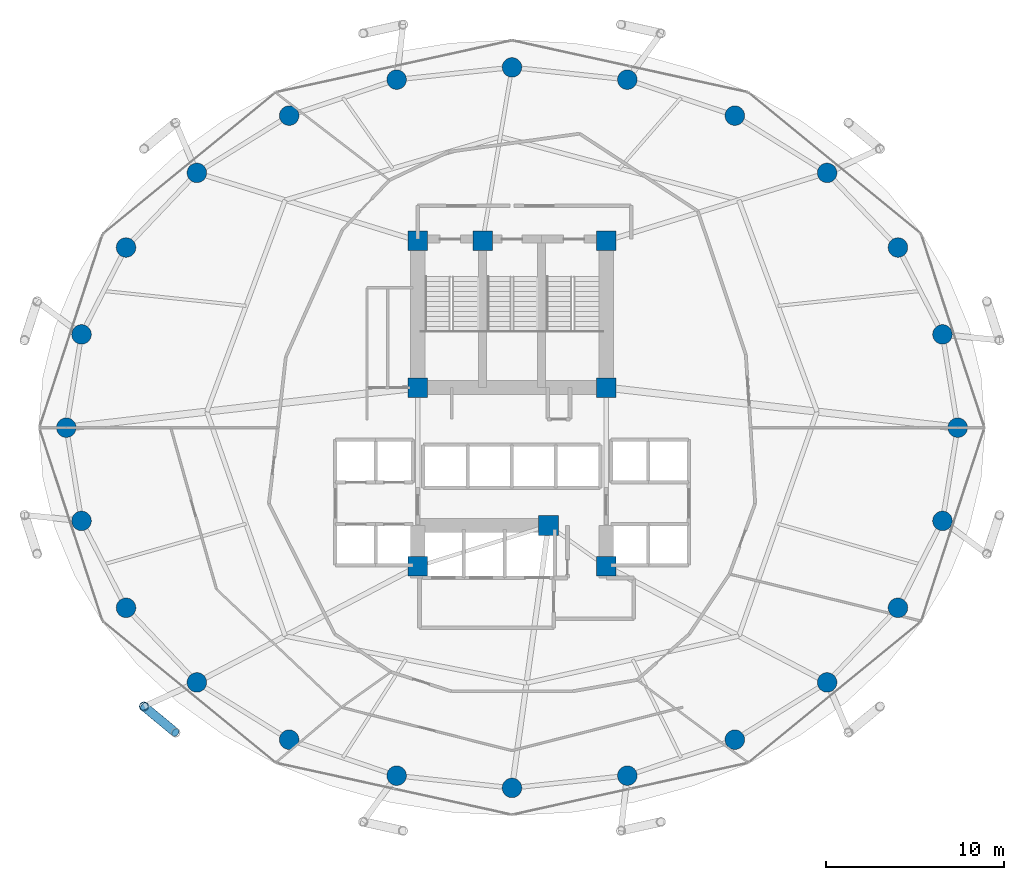
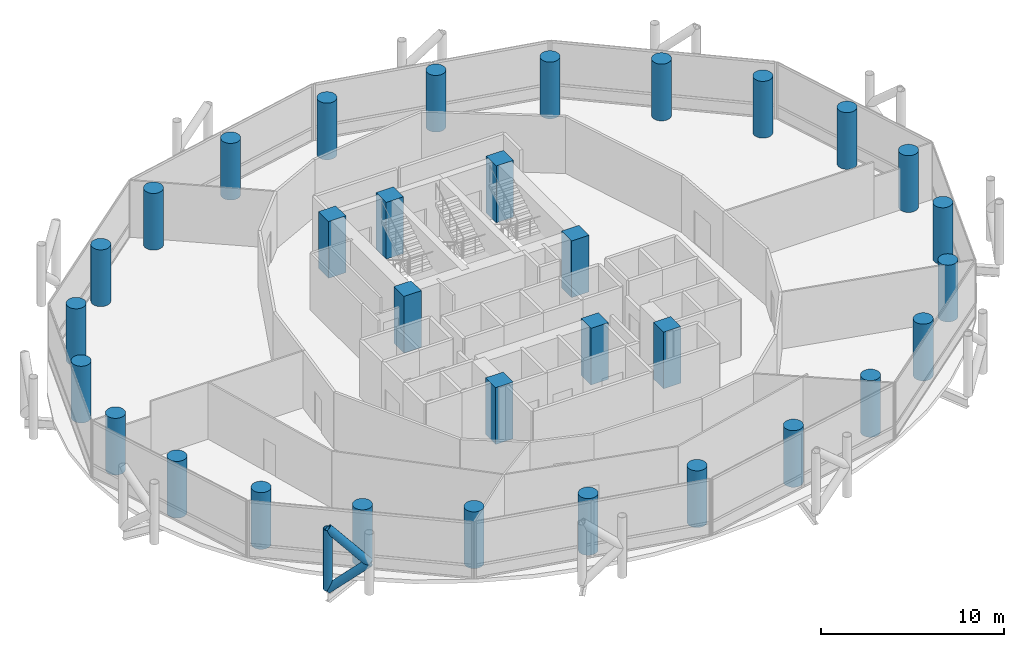
# One storey, part 1 of 24: 32 columns, 3 members.
"""IFC4 building model written with IfcOpenShell, lengths in metres."""

from ifc_helpers import new_model, si_unit, direction, frame, origin, origin_2d, place, context, subcontext, project, spatial, rectangle, circle, hollow_circle, extrude, material, material_profile, profile_set, type_object, element, save


model = new_model("IFC4")

# Units and contexts
model_context = context("Model", 3, precision=1e-05, world=origin(), true_north=direction((0.0, 1.0)))
body_context = subcontext(model_context, "Body", "Model", "MODEL_VIEW")
ifc_project = project(units=[si_unit("LENGTHUNIT", "METRE"), si_unit("AREAUNIT", "SQUARE_METRE"), si_unit("VOLUMEUNIT", "CUBIC_METRE"), si_unit("PLANEANGLEUNIT", "RADIAN"), si_unit("MASSUNIT", "GRAM", prefix="KILO")], contexts=[model_context])

# Site, building, storey
site_placement = place(None, origin())
site = spatial("IfcSite", under=ifc_project, at=site_placement, CompositionType="ELEMENT")
building_placement = place(site_placement, origin())
building = spatial("IfcBuilding", under=site, at=building_placement, Name="Nuhasar Tower", CompositionType="ELEMENT")
storey_placement = place(building_placement, frame((0.0, 0.0, 41.25)))
storey = spatial("IfcBuildingStorey", under=building, at=storey_placement, Name="L09", CompositionType="ELEMENT", Elevation=41.25)

# Columns
ifc_material_1 = material(Name="Concrete C80/95", Category="concrete")
ifc_material_profile_1 = material_profile(ifc_material_1, circle(Radius=0.550048828125, at=origin_2d()), Name="CFT1100")
ifc_profile_set_1 = profile_set([ifc_material_profile_1], Name="Concrete C80/95")
column_type_1 = type_object("IfcColumnType", Name="COL-CFT-1100", PredefinedType="COLUMN", material=ifc_profile_set_1)
for number, where, z_axis, x_axis, name in (
    (1, (64.050048828125, 26.800048828125, 0.0), (0.0, 0.0, 1.0), (1.0, 0.0, 0.0), "L09 Perimeter Composite Column TC-01"),
    (2, (63.196044921875, 32.041015625, 0.0), (0.0, 0.0, 1.0), (1.0, 0.0, 0.0), "L09 Perimeter Composite Column TC-02"),
    (3, (60.694091796875, 36.925048828125, 0.0), (0.0, 0.0, 1.0), (1.0, 0.0, 0.0), "L09 Perimeter Composite Column TC-03"),
    (4, (56.712890625, 41.118896484375, 0.0), (0.0, 0.0, 1.0), (1.0, 0.0, 0.0), "L09 Perimeter Composite Column TC-04"),
    (5, (51.52490234375, 44.3369140625, 0.0), (0.0, 0.0, 1.0), (1.0, 0.0, 0.0), "L09 Perimeter Composite Column TC-05"),
    (6, (45.48291015625, 46.360107421875, 0.0), (0.0, 0.0, 1.0), (1.0, 0.0, 0.0), "L09 Perimeter Composite Column TC-06"),
    (7, (39.0, 47.050048828125, 0.0), (0.0, 0.0, 1.0), (1.0, 0.0, 0.0), "L09 Perimeter Composite Column TC-07"),
    (8, (32.51708984375, 46.360107421875, 0.0), (0.0, 0.0, 1.0), (1.0, 0.0, 0.0), "L09 Perimeter Composite Column TC-08"),
    (9, (26.47509765625, 44.3369140625, 0.0), (0.0, 0.0, 1.0), (1.0, 0.0, 0.0), "L09 Perimeter Composite Column TC-09"),
    (10, (21.287109375, 41.118896484375, 0.0), (0.0, 0.0, 1.0), (1.0, 0.0, 0.0), "L09 Perimeter Composite Column TC-10"),
    (11, (17.305908203125, 36.925048828125, 0.0), (0.0, 0.0, 1.0), (1.0, 0.0, 0.0), "L09 Perimeter Composite Column TC-11"),
    (12, (14.803955078125, 32.041015625, 0.0), (0.0, 0.0, 1.0), (1.0, 0.0, 0.0), "L09 Perimeter Composite Column TC-12"),
    (13, (13.949951171875, 26.800048828125, 0.0), (0.0, 0.0, 1.0), (1.0, 0.0, 0.0), "L09 Perimeter Composite Column TC-13"),
    (14, (14.803955078125, 21.55908203125, 0.0), (0.0, 0.0, 1.0), (1.0, 0.0, 0.0), "L09 Perimeter Composite Column TC-14"),
    (15, (17.305908203125, 16.675048828125, 0.0), (0.0, 0.0, 1.0), (1.0, 0.0, 0.0), "L09 Perimeter Composite Column TC-15"),
    (16, (21.287109375, 12.48095703125, 0.0), (0.0, 0.0, 1.0), (1.0, 0.0, 0.0), "L09 Perimeter Composite Column TC-16"),
    (17, (26.47509765625, 9.262939453125, 0.0), (0.0, 0.0, 1.0), (1.0, 0.0, 0.0), "L09 Perimeter Composite Column TC-17"),
    (18, (32.51708984375, 7.239990234375, 0.0), (0.0, 0.0, 1.0), (1.0, 0.0, 0.0), "L09 Perimeter Composite Column TC-18"),
    (19, (39.0, 6.550048828125, 0.0), (0.0, 0.0, 1.0), (1.0, 0.0, 0.0), "L09 Perimeter Composite Column TC-19"),
    (20, (45.48291015625, 7.239990234375, 0.0), (0.0, 0.0, 1.0), (1.0, 0.0, 0.0), "L09 Perimeter Composite Column TC-20"),
    (21, (51.52490234375, 9.262939453125, 0.0), (0.0, 0.0, 1.0), (1.0, 0.0, 0.0), "L09 Perimeter Composite Column TC-21"),
    (22, (56.712890625, 12.48095703125, 0.0), (0.0, 0.0, 1.0), (1.0, 0.0, 0.0), "L09 Perimeter Composite Column TC-22"),
    (23, (60.694091796875, 16.675048828125, 0.0), (0.0, 0.0, 1.0), (1.0, 0.0, 0.0), "L09 Perimeter Composite Column TC-23"),
    (24, (63.196044921875, 21.55908203125, 0.0), (0.0, 0.0, 1.0), (1.0, 0.0, 0.0), "L09 Perimeter Composite Column TC-24"),
):
    element("IfcColumn", number, at=place(storey_placement, frame(where, z_axis=z_axis, x_axis=x_axis)), inside=storey, type_object=column_type_1, Name=name, PredefinedType="COLUMN", context=body_context, shape_type="SweptSolid", body=[
        extrude(circle(Radius=0.550048828125, at=origin_2d()), origin(), (0.0, 0.0, 1.0), 3.7900390625),
    ])
ifc_material_profile_2 = material_profile(ifc_material_1, rectangle(XDim=1.10009765625, YDim=1.10009765625, at=origin_2d()), Name="RC1100X1100")
ifc_profile_set_2 = profile_set([ifc_material_profile_2], Name="Concrete C80/95")
column_type_2 = type_object("IfcColumnType", Name="PIL-RC-1100", PredefinedType="PILASTER", material=ifc_profile_set_2)
for number, where, z_axis, x_axis, name in (
    (25, (33.699951171875, 19.0, 0.0), (0.0, 0.0, 1.0), (1.0, 0.0, 0.0), "L09 Core Boundary Pilaster CC-01"),
    (26, (41.050048828125, 21.300048828125, 0.0), (0.0, 0.0, 1.0), (1.0, 0.0, 0.0), "L09 Core Boundary Pilaster CC-02"),
    (27, (44.300048828125, 19.0, 0.0), (0.0, 0.0, 1.0), (1.0, 0.0, 0.0), "L09 Core Boundary Pilaster CC-03"),
    (28, (44.300048828125, 29.050048828125, 0.0), (0.0, 0.0, 1.0), (1.0, 0.0, 0.0), "L09 Core Boundary Pilaster CC-04"),
    (29, (44.300048828125, 37.300048828125, 0.0), (0.0, 0.0, 1.0), (1.0, 0.0, 0.0), "L09 Core Boundary Pilaster CC-05"),
    (30, (37.35009765625, 37.300048828125, 0.0), (0.0, 0.0, 1.0), (1.0, 0.0, 0.0), "L09 Core Boundary Pilaster CC-06"),
    (31, (33.699951171875, 37.300048828125, 0.0), (0.0, 0.0, 1.0), (1.0, 0.0, 0.0), "L09 Core Boundary Pilaster CC-07"),
    (32, (33.699951171875, 29.050048828125, 0.0), (0.0, 0.0, 1.0), (1.0, 0.0, 0.0), "L09 Core Boundary Pilaster CC-08"),
):
    element("IfcColumn", number, at=place(storey_placement, frame(where, z_axis=z_axis, x_axis=x_axis)), inside=storey, type_object=column_type_2, Name=name, PredefinedType="PILASTER", context=body_context, shape_type="SweptSolid", body=[
        extrude(rectangle(XDim=1.10009765625, YDim=1.10009765625, at=origin_2d()), origin(), (0.0, 0.0, 1.0), 3.7900390625),
    ])

# Members
ifc_material_2 = material(Name="Steel S460", Category="steel")
ifc_material_profile_3 = material_profile(ifc_material_2, hollow_circle(Radius=0.25390625, WallThickness=0.025390625, at=origin_2d()), Name="HSS508X25.4")
ifc_profile_set_3 = profile_set([ifc_material_profile_3], Name="Steel S460")
member_type = type_object("IfcMemberType", Name="EXO-BRONZE-508", PredefinedType="BRACE", material=ifc_profile_set_3)
member_1_placement = place(storey_placement, frame((18.31494140625, 11.12890625, 0.0), z_axis=(0.0, 0.0, 1.0), x_axis=(1.0, 0.0, 0.0)))
element("IfcMember", 33, at=member_1_placement, inside=storey, type_object=member_type, Name="L09 Exoskeleton Chord Column EC-08A", PredefinedType="BRACE", context=body_context, shape_type="SweptSolid", body=[
    extrude(hollow_circle(Radius=0.25390625, WallThickness=0.025390625, at=origin_2d()), origin(), (0.0, 0.0, 1.0), 4.050048828125),
])
member_2_placement = place(storey_placement, frame((18.31494140625, 11.12890625, 0.0), z_axis=(0.578101613167, -0.478937034992, 0.660619286251), x_axis=(0.637969333506, 0.770061769929, 0.0)))
element("IfcMember", 34, at=member_2_placement, inside=storey, type_object=member_type, Name="L09 Bronze Diagrid Brace W1-08", PredefinedType="BRACE", context=body_context, shape_type="SweptSolid", body=[
    extrude(hollow_circle(Radius=0.25390625, WallThickness=0.025390625, at=origin_2d()), origin(), (0.0, 0.0, 1.0), 3.065185546875),
])
member_3_placement = place(storey_placement, frame((20.0869140625, 9.660888671875, 2.02490234375), z_axis=(-0.578071194894, 0.478911834514, 0.660664172175), x_axis=(-0.637969333506, -0.770061769929, 0.0)))
element("IfcMember", 35, at=member_3_placement, inside=storey, type_object=member_type, Name="L09 Bronze Diagrid Brace W2-08", PredefinedType="BRACE", context=body_context, shape_type="SweptSolid", body=[
    extrude(hollow_circle(Radius=0.25390625, WallThickness=0.025390625, at=origin_2d()), origin(), (0.0, 0.0, 1.0), 3.0654296875),
])

save(model, "model.ifc")
